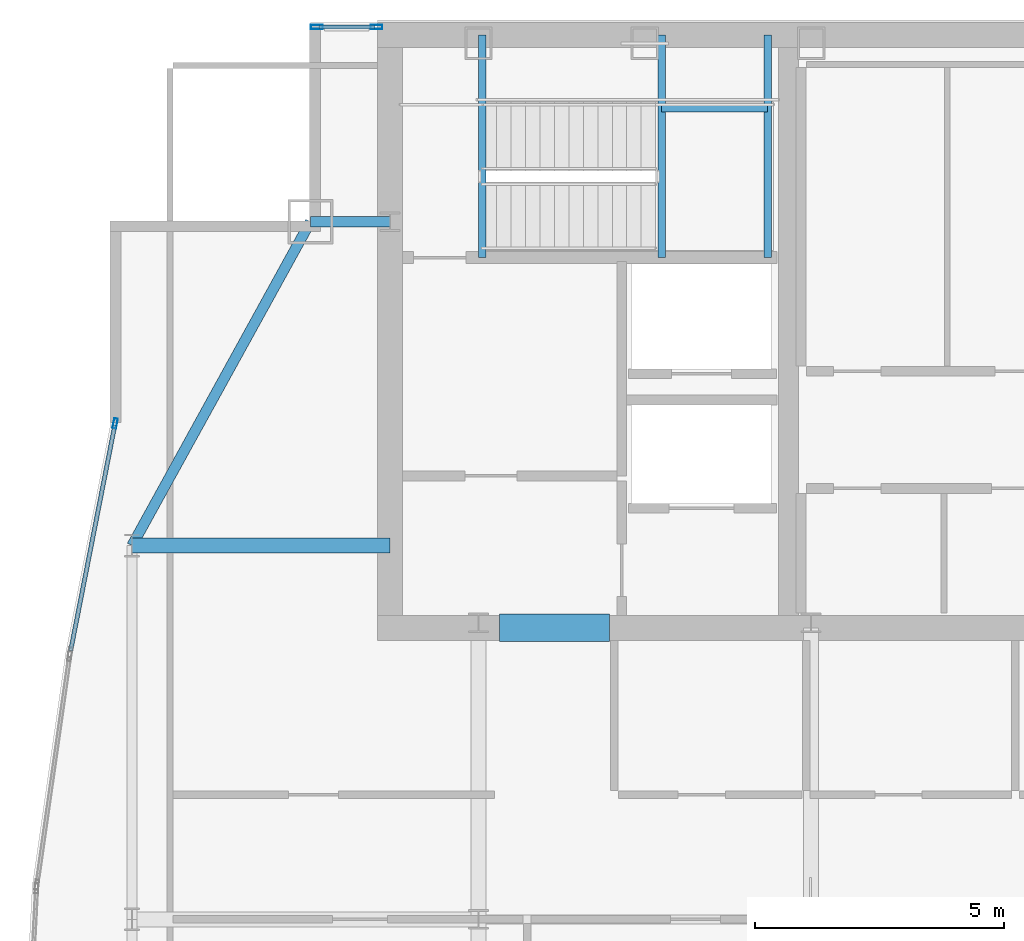
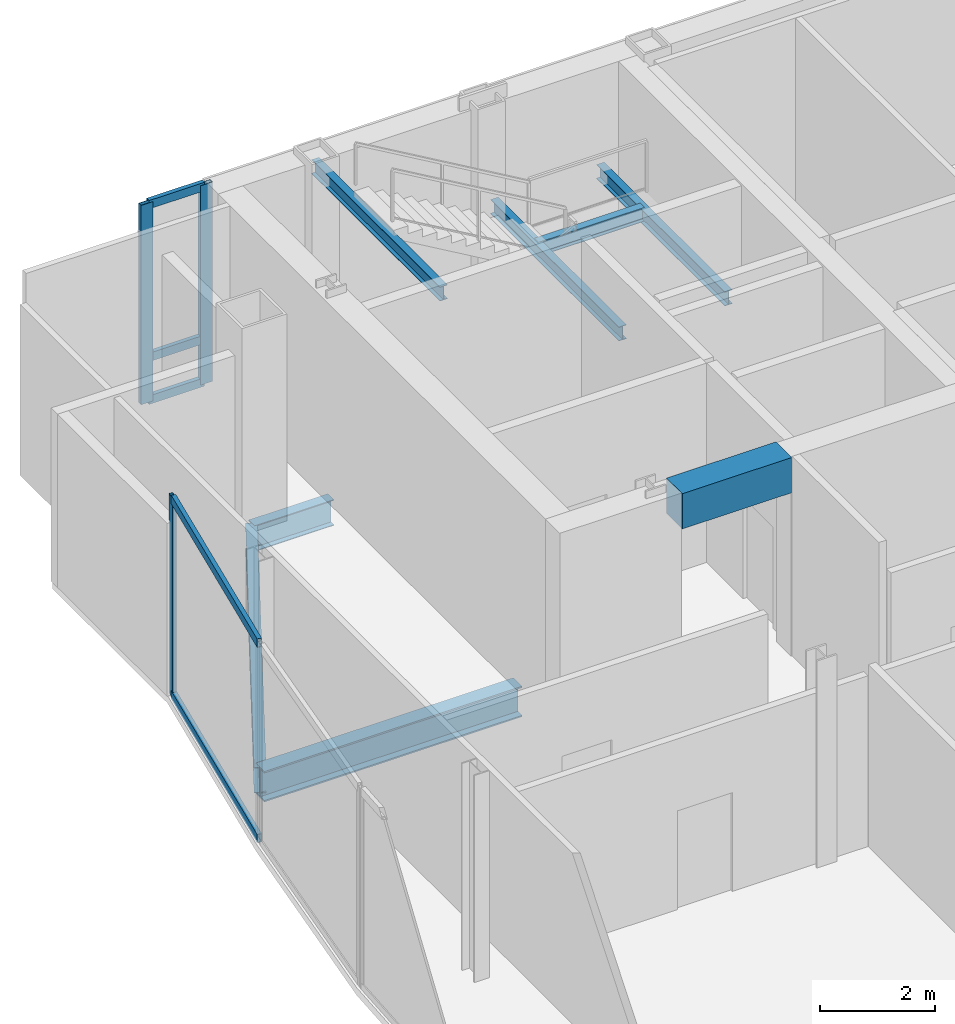
# One storey, part 18 of 27: 8 beams, 8 members, 2 elements without a shape of their own.
"""IFC4 building model written with IfcOpenShell, lengths in metres."""

from ifc_helpers import new_model, si_unit, direction, frame, origin, origin_2d, place, context, subcontext, project, spatial, rectangle, hollow_rectangle, i_section, extrude, material, material_profile, profile_set, type_object, element, aggregate, save


model = new_model("IFC4")

# Units and contexts
model_context = context("Model", 3, precision=1e-05, world=origin(), true_north=direction((0.0, 1.0)))
body_context = subcontext(model_context, "Body", "Model", "MODEL_VIEW")
ifc_project = project(units=[si_unit("LENGTHUNIT", "METRE"), si_unit("AREAUNIT", "SQUARE_METRE"), si_unit("VOLUMEUNIT", "CUBIC_METRE"), si_unit("PLANEANGLEUNIT", "RADIAN"), si_unit("MASSUNIT", "GRAM", prefix="KILO")], contexts=[model_context])

# Site, building, storey
site_placement = place(None, origin())
site = spatial("IfcSite", under=ifc_project, at=site_placement, CompositionType="ELEMENT")
building_placement = place(site_placement, origin())
building = spatial("IfcBuilding", under=site, at=building_placement, Name="Khoronbel Lancet Exchange", CompositionType="ELEMENT")
storey_placement = place(building_placement, frame((0.0, 0.0, 310.199951171875)))
storey = spatial("IfcBuildingStorey", under=building, at=storey_placement, Name="L80", CompositionType="ELEMENT", Elevation=310.199951171875)

# Beams
ifc_material_1 = material(Name="Steel S355", Category="steel")
ifc_material_profile_1 = material_profile(ifc_material_1, i_section(OverallWidth=0.300048828125, OverallDepth=0.64990234375, WebThickness=0.01611328125, FlangeThickness=0.031005859375, at=origin_2d()), Name="HEB 650")
ifc_profile_set_1 = profile_set([ifc_material_profile_1], Name="Steel S355")
beam_type_1 = type_object("IfcBeamType", Name="BM-BG4", PredefinedType="BEAM", material=ifc_profile_set_1)
beam_1_placement = place(storey_placement, frame((11.27001953125, 43.199951171875, -0.48486328125), z_axis=(1.0, 0.0, 0.0), x_axis=(0.0, 1.0, 0.0)))
element("IfcBeam", 1, at=beam_1_placement, inside=storey, type_object=beam_type_1, Name="Level L80 west lens tie girder LG3W", PredefinedType="BEAM", context=body_context, shape_type="SweptSolid", body=[
    extrude(i_section(OverallWidth=0.300048828125, OverallDepth=0.64990234375, WebThickness=0.01611328125, FlangeThickness=0.031005859375, at=origin_2d()), origin(), (0.0, 0.0, 1.0), 5.179931640625),
])
ifc_material_profile_2 = material_profile(ifc_material_1, i_section(OverallWidth=0.14990234375, OverallDepth=0.300048828125, WebThickness=0.007080078125, FlangeThickness=0.0107421875, at=origin_2d()), Name="IPE 300")
ifc_profile_set_2 = profile_set([ifc_material_profile_2], Name="Steel S355")
beam_type_2 = type_object("IfcBeamType", Name="BM-BJ8", PredefinedType="JOIST", material=ifc_profile_set_2)
for number, where, z_axis, x_axis, name in (
    (2, (21.89990234375, 48.97998046875, 1.85009765625), (0.0, 1.0, 0.0), (-1.0, 0.0, 0.0), "Level L80 stair ST1 landing bearer beam 1"),
    (3, (24.030029296875, 48.97998046875, 1.85009765625), (0.0, 1.0, 0.0), (-1.0, 0.0, 0.0), "Level L80 stair ST1 rear landing bearer beam 1"),
):
    element("IfcBeam", number, at=place(storey_placement, frame(where, z_axis=z_axis, x_axis=x_axis)), inside=storey, type_object=beam_type_2, Name=name, PredefinedType="JOIST", context=body_context, shape_type="SweptSolid", body=[
        extrude(i_section(OverallWidth=0.14990234375, OverallDepth=0.300048828125, WebThickness=0.007080078125, FlangeThickness=0.0107421875, at=origin_2d()), origin(), (0.0, 0.0, 1.0), 4.469970703125),
    ])
beam_2_placement = place(storey_placement, frame((21.89990234375, 51.97998046875, 1.85009765625), z_axis=(1.0, 0.0, 0.0), x_axis=(0.0, 1.0, 0.0)))
element("IfcBeam", 4, at=beam_2_placement, inside=storey, type_object=beam_type_2, Name="Level L80 stair ST1 landing cross trimmer beam 1", PredefinedType="JOIST", context=body_context, shape_type="SweptSolid", body=[
    extrude(i_section(OverallWidth=0.14990234375, OverallDepth=0.300048828125, WebThickness=0.007080078125, FlangeThickness=0.0107421875, at=origin_2d()), origin(), (0.0, 0.0, 1.0), 2.130126953125),
])
beam_3_placement = place(storey_placement, frame((18.300048828125, 48.97998046875, 3.9599609375), z_axis=(0.0, 1.0, 0.0), x_axis=(-1.0, 0.0, 0.0)))
element("IfcBeam", 5, at=beam_3_placement, inside=storey, type_object=beam_type_2, Name="Level L80 stair ST1 upper-flight arrival trimmer beam", PredefinedType="JOIST", context=body_context, shape_type="SweptSolid", body=[
    extrude(i_section(OverallWidth=0.14990234375, OverallDepth=0.300048828125, WebThickness=0.007080078125, FlangeThickness=0.0107421875, at=origin_2d()), origin(), (0.0, 0.0, 1.0), 4.469970703125),
])
ifc_material_2 = material(Name="Concrete C60/75", Category="concrete")
ifc_material_profile_3 = material_profile(ifc_material_2, rectangle(XDim=0.550048828125, YDim=0.75, at=origin_2d()), Name="RC 550x750")
ifc_profile_set_3 = profile_set([ifc_material_profile_3], Name="Concrete C60/75")
beam_type_3 = type_object("IfcBeamType", Name="BM-BL2", PredefinedType="LINTEL", material=ifc_profile_set_3)
beam_4_placement = place(storey_placement, frame((18.64990234375, 41.550048828125, 3.864990234375), z_axis=(1.0, 0.0, 0.0), x_axis=(0.0, 1.0, 0.0)))
element("IfcBeam", 6, at=beam_4_placement, inside=storey, type_object=beam_type_3, Name="Level L80 rear core coupling lintel L1", PredefinedType="LINTEL", context=body_context, shape_type="SweptSolid", body=[
    extrude(rectangle(XDim=0.550048828125, YDim=0.75, at=origin_2d()), origin(), (0.0, 0.0, 1.0), 2.2001953125),
])
ifc_material_profile_4 = material_profile(ifc_material_1, i_section(OverallWidth=0.2099609375, OverallDepth=0.550048828125, WebThickness=0.010986328125, FlangeThickness=0.01708984375, at=origin_2d()), Name="IPE 550")
ifc_profile_set_4 = profile_set([ifc_material_profile_4], Name="Steel S355")
beam_type_4 = type_object("IfcBeamType", Name="BM-BSP3", PredefinedType="SPANDREL", material=ifc_profile_set_4)
beam_5_placement = place(storey_placement, frame((14.85009765625, 49.699951171875, -0.43505859375), z_axis=(-0.482444051088, -0.875926787791, 0.0), x_axis=(0.875926787791, -0.482444051088, 0.0)))
element("IfcBeam", 7, at=beam_5_placement, inside=storey, type_object=beam_type_4, Name="Level L80 perimeter spandrel beam SP14", PredefinedType="SPANDREL", context=body_context, shape_type="SweptSolid", body=[
    extrude(i_section(OverallWidth=0.2099609375, OverallDepth=0.550048828125, WebThickness=0.010986328125, FlangeThickness=0.01708984375, at=origin_2d()), origin(), (0.0, 0.0, 1.0), 7.420654296875),
])
beam_6_placement = place(storey_placement, frame((14.85009765625, 49.699951171875, -0.43505859375), z_axis=(1.0, 0.0, 0.0), x_axis=(0.0, 1.0, 0.0)))
element("IfcBeam", 8, at=beam_6_placement, inside=storey, type_object=beam_type_4, Name="Level L80 north flank tie spandrel SP20", PredefinedType="SPANDREL", context=body_context, shape_type="SweptSolid", body=[
    extrude(i_section(OverallWidth=0.2099609375, OverallDepth=0.550048828125, WebThickness=0.010986328125, FlangeThickness=0.01708984375, at=origin_2d()), origin(), (0.0, 0.0, 1.0), 1.599853515625),
])

# Curtain wall, members
ifc_material_3 = material(Name="Low-E Solar Control Insulating Glass", Category="glass")
curtain_wall_type_1 = type_object("IfcCurtainWallType", Name="CW-3", PredefinedType="NOTDEFINED", material=ifc_material_3)
curtain_wall_1_placement = place(storey_placement, origin())
curtain_wall_1 = element("IfcCurtainWall", 9, at=curtain_wall_1_placement, inside=storey, type_object=curtain_wall_type_1, Name="Unitised curtain wall CW-L80-NWFLK", PredefinedType="NOTDEFINED")
ifc_material_4 = material(Name="Bronze-Anodised Aluminium 6063-T6", Category="aluminium")
ifc_material_profile_5 = material_profile(ifc_material_4, hollow_rectangle(XDim=0.0849609375, YDim=0.239990234375, WallThickness=0.006103515625, at=origin_2d()), Name="ALU MULLION 85x240")
ifc_profile_set_5 = profile_set([ifc_material_profile_5], Name="Bronze-Anodised Aluminium 6063-T6")
member_type_1 = type_object("IfcMemberType", Name="MEM-CWM1", PredefinedType="MULLION", material=ifc_profile_set_5)
member_1_placement = place(storey_placement, frame((16.177490234375, 53.610107421875, 0.0), z_axis=(0.0, 0.0, 1.0), x_axis=(0.0, -1.0, 0.0)))
member_1 = element("IfcMember", 10, at=member_1_placement, type_object=member_type_1, Name="CW3 mullion 1", PredefinedType="MULLION", context=body_context, shape_type="SweptSolid", body=[
    extrude(hollow_rectangle(XDim=0.0849609375, YDim=0.239990234375, WallThickness=0.006103515625, at=origin_2d()), origin(), (0.0, 0.0, 1.0), 4.239990234375),
])
member_2_placement = place(storey_placement, frame((14.982421875, 53.610107421875, 0.0), z_axis=(0.0, 0.0, 1.0), x_axis=(0.0, -1.0, 0.0)))
member_2 = element("IfcMember", 11, at=member_2_placement, type_object=member_type_1, Name="CW3 mullion 2", PredefinedType="MULLION", context=body_context, shape_type="SweptSolid", body=[
    extrude(hollow_rectangle(XDim=0.0849609375, YDim=0.239990234375, WallThickness=0.006103515625, at=origin_2d()), origin(), (0.0, 0.0, 1.0), 4.239990234375),
])

curtain_wall_type_2 = type_object("IfcCurtainWallType", Name="CW-4", PredefinedType="NOTDEFINED", material=ifc_material_3)
curtain_wall_2_placement = place(storey_placement, origin())
curtain_wall_2 = element("IfcCurtainWall", 12, at=curtain_wall_2_placement, inside=storey, type_object=curtain_wall_type_2, Name="Unitised curtain wall CW-L80-E09", PredefinedType="NOTDEFINED")
ifc_material_profile_6 = material_profile(ifc_material_4, hollow_rectangle(XDim=0.074951171875, YDim=0.199951171875, WallThickness=0.0048828125, at=origin_2d()), Name="ALU MULLION 75x200")
ifc_profile_set_6 = profile_set([ifc_material_profile_6], Name="Bronze-Anodised Aluminium 6063-T6")
member_type_2 = type_object("IfcMemberType", Name="MEM-CWM2", PredefinedType="MULLION", material=ifc_profile_set_6)
member_3_placement = place(storey_placement, frame((10.932861328125, 45.654541015625, 0.0), z_axis=(0.0, 0.0, 1.0), x_axis=(-0.981360294009, 0.192176932391, 0.0)))
member_3 = element("IfcMember", 13, at=member_3_placement, type_object=member_type_2, Name="CW4 mullion 2", PredefinedType="MULLION", context=body_context, shape_type="SweptSolid", body=[
    extrude(hollow_rectangle(XDim=0.074951171875, YDim=0.199951171875, WallThickness=0.0048828125, at=origin_2d()), origin(), (0.0, 0.0, 1.0), 4.239990234375),
])
ifc_material_profile_7 = material_profile(ifc_material_4, hollow_rectangle(XDim=0.0849609375, YDim=0.179931640625, WallThickness=0.0048828125, at=origin_2d()), Name="ALU TRANSOM 85x180")
ifc_profile_set_7 = profile_set([ifc_material_profile_7], Name="Bronze-Anodised Aluminium 6063-T6")
member_type_3 = type_object("IfcMemberType", Name="MEM-CWT1", PredefinedType="USERDEFINED", material=ifc_profile_set_7)
member_4_placement = place(storey_placement, frame((10.039306640625, 41.091796875, 0.04248046875), z_axis=(0.192164562526, 0.981362716282, 0.0), x_axis=(-0.981362716282, 0.192164562526, 0.0)))
member_4 = element("IfcMember", 14, at=member_4_placement, type_object=member_type_3, Name="CW4 transom 1.1", ObjectType="TRANSOM", PredefinedType="USERDEFINED", context=body_context, shape_type="SweptSolid", body=[
    extrude(hollow_rectangle(XDim=0.0849609375, YDim=0.179931640625, WallThickness=0.0048828125, at=origin_2d()), origin(), (0.0, 0.0, 1.0), 4.61181640625),
])
member_5_placement = place(storey_placement, frame((10.039306640625, 41.091796875, 4.197509765625), z_axis=(0.192164562526, 0.981362716282, 0.0), x_axis=(-0.981362716282, 0.192164562526, 0.0)))
member_5 = element("IfcMember", 15, at=member_5_placement, type_object=member_type_3, Name="CW4 transom 1.2", ObjectType="TRANSOM", PredefinedType="USERDEFINED", context=body_context, shape_type="SweptSolid", body=[
    extrude(hollow_rectangle(XDim=0.0849609375, YDim=0.179931640625, WallThickness=0.0048828125, at=origin_2d()), origin(), (0.0, 0.0, 1.0), 4.61181640625),
])
aggregate(curtain_wall_2, [member_3, member_4, member_5])

# Member
member_6_placement = place(storey_placement, frame((16.135009765625, 53.610107421875, 0.04248046875), z_axis=(-1.0, 0.0, 0.0), x_axis=(0.0, -1.0, 0.0)))
member_6 = element("IfcMember", 16, at=member_6_placement, type_object=member_type_3, Name="CW3 transom 1.1", ObjectType="TRANSOM", PredefinedType="USERDEFINED", context=body_context, shape_type="SweptSolid", body=[
    extrude(hollow_rectangle(XDim=0.0849609375, YDim=0.179931640625, WallThickness=0.0048828125, at=origin_2d()), origin(), (0.0, 0.0, 1.0), 1.110107421875),
])

member_7_placement = place(storey_placement, frame((16.135009765625, 53.610107421875, 0.949951171875), z_axis=(-1.0, 0.0, 0.0), x_axis=(0.0, -1.0, 0.0)))
member_7 = element("IfcMember", 17, at=member_7_placement, type_object=member_type_3, Name="CW3 transom 1.2", ObjectType="TRANSOM", PredefinedType="USERDEFINED", context=body_context, shape_type="SweptSolid", body=[
    extrude(hollow_rectangle(XDim=0.0849609375, YDim=0.179931640625, WallThickness=0.0048828125, at=origin_2d()), origin(), (0.0, 0.0, 1.0), 1.110107421875),
])

member_8_placement = place(storey_placement, frame((16.135009765625, 53.610107421875, 4.197509765625), z_axis=(-1.0, 0.0, 0.0), x_axis=(0.0, -1.0, 0.0)))
member_8 = element("IfcMember", 18, at=member_8_placement, type_object=member_type_3, Name="CW3 transom 1.3", ObjectType="TRANSOM", PredefinedType="USERDEFINED", context=body_context, shape_type="SweptSolid", body=[
    extrude(hollow_rectangle(XDim=0.0849609375, YDim=0.179931640625, WallThickness=0.0048828125, at=origin_2d()), origin(), (0.0, 0.0, 1.0), 1.110107421875),
])

aggregate(curtain_wall_1, [member_1, member_2, member_6, member_7, member_8])

save(model, "model.ifc")
